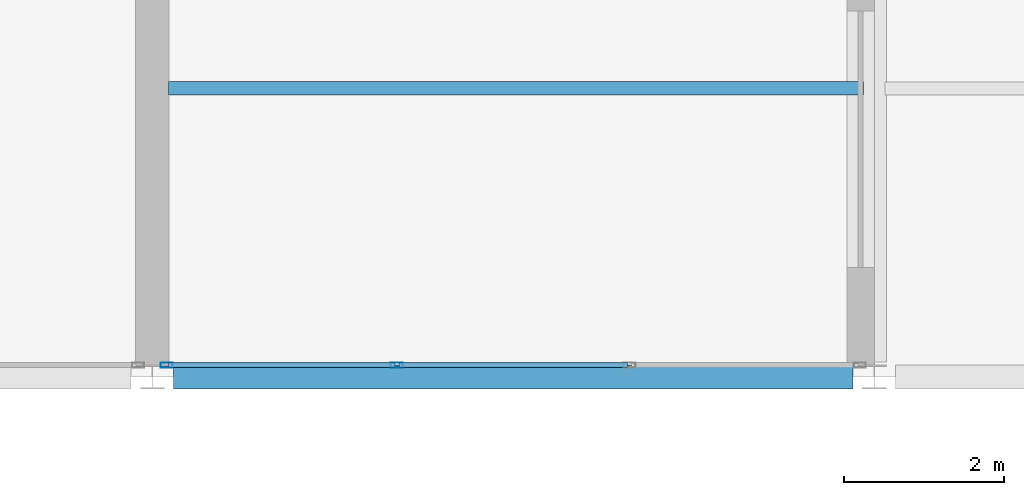
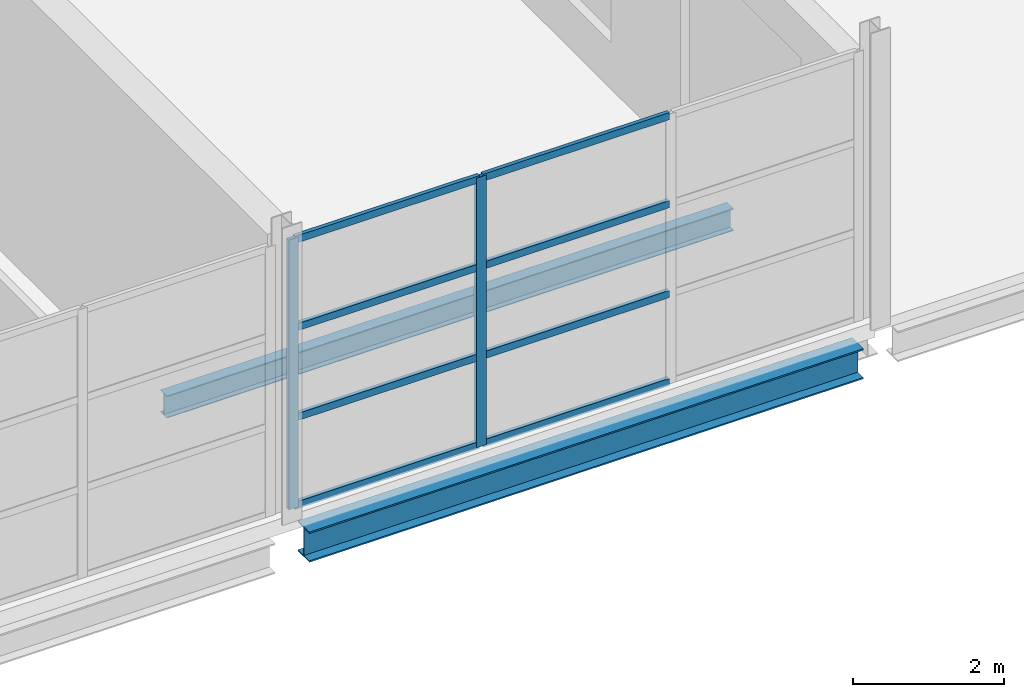
# One storey, part 46 of 134: 10 members, 2 beams, 1 element without a shape of its own.
"""IFC4 building model written with IfcOpenShell, lengths in metres."""

from ifc_helpers import new_model, si_unit, direction, frame, origin, origin_2d, place, context, subcontext, project, spatial, hollow_rectangle, i_section, extrude, material, layer, layer_set, material_profile, profile_set, type_object, element, aggregate, save


model = new_model("IFC4")

# Units and contexts
model_context = context("Model", 3, precision=1e-05, world=origin(), true_north=direction((0.0, 1.0)))
body_context = subcontext(model_context, "Body", "Model", "MODEL_VIEW")
ifc_project = project(units=[si_unit("LENGTHUNIT", "METRE"), si_unit("AREAUNIT", "SQUARE_METRE"), si_unit("VOLUMEUNIT", "CUBIC_METRE"), si_unit("PLANEANGLEUNIT", "RADIAN"), si_unit("MASSUNIT", "GRAM", prefix="KILO")], contexts=[model_context])

# Site, building, storey
site_placement = place(None, origin())
site = spatial("IfcSite", under=ifc_project, at=site_placement, CompositionType="ELEMENT")
building_placement = place(site_placement, origin())
building = spatial("IfcBuilding", under=site, at=building_placement, Name="Tamarisk Ironworks Central Station", CompositionType="ELEMENT")
storey_placement = place(building_placement, frame((0.0, 0.0, 12.60009765625)))
storey = spatial("IfcBuildingStorey", under=building, at=storey_placement, Name="L02", CompositionType="ELEMENT", Elevation=12.60009765625)

# Beams
ifc_material_1 = material(Name="Structural steel S355J2", Category="steel")
ifc_material_profile_1 = material_profile(ifc_material_1, i_section(OverallWidth=0.169921875, OverallDepth=0.360107421875, WebThickness=0.008056640625, FlangeThickness=0.0126953125, at=origin_2d()), Name="IPE 360")
ifc_profile_set_1 = profile_set([ifc_material_profile_1], Name="Structural steel S355J2")
beam_type_1 = type_object("IfcBeamType", Name="BM-B05", PredefinedType="BEAM", material=ifc_profile_set_1)
beam_1_placement = place(storey_placement, frame((27.199951171875, 93.60009765625, -0.43017578125), z_axis=(1.0, 0.0, 0.0), x_axis=(0.0, 1.0, 0.0)))
element("IfcBeam", 1, at=beam_1_placement, inside=storey, type_object=beam_type_1, Name="L02 secondary composite beam 0145", PredefinedType="BEAM", context=body_context, shape_type="SweptSolid", body=[
    extrude(i_section(OverallWidth=0.169921875, OverallDepth=0.360107421875, WebThickness=0.008056640625, FlangeThickness=0.0126953125, at=origin_2d()), origin(), (0.0, 0.0, 1.0), 8.6650390625),
])
ifc_material_profile_2 = material_profile(ifc_material_1, i_section(OverallWidth=0.300048828125, OverallDepth=0.489990234375, WebThickness=0.011962890625, FlangeThickness=0.02294921875, at=origin_2d()), Name="HEA 500")
ifc_profile_set_2 = profile_set([ifc_material_profile_2], Name="Structural steel S355J2")
beam_type_2 = type_object("IfcBeamType", Name="BM-G05", PredefinedType="BEAM", material=ifc_profile_set_2)
beam_2_placement = place(storey_placement, frame((27.262939453125, 90.0, -0.4951171875), z_axis=(1.0, 0.0, 0.0), x_axis=(0.0, 1.0, 0.0)))
element("IfcBeam", 2, at=beam_2_placement, inside=storey, type_object=beam_type_2, Name="L02 primary girder X-0371", PredefinedType="BEAM", context=body_context, shape_type="SweptSolid", body=[
    extrude(i_section(OverallWidth=0.300048828125, OverallDepth=0.489990234375, WebThickness=0.011962890625, FlangeThickness=0.02294921875, at=origin_2d()), origin(), (0.0, 0.0, 1.0), 8.47412109375),
])

# Curtain wall, members
ifc_material_2 = material(Name="Anodized aluminium alloy 6063-T6", Category="aluminium")
ifc_layer = layer(ifc_material_2, 0.179931640625)
ifc_layer_set = layer_set([ifc_layer], Name="Anodized aluminium alloy 6063-T6")
curtain_wall_type = type_object("IfcCurtainWallType", Name="CW-11", PredefinedType="USERDEFINED", material=ifc_layer_set)
curtain_wall_placement = place(storey_placement, origin())
curtain_wall = element("IfcCurtainWall", 3, at=curtain_wall_placement, inside=storey, type_object=curtain_wall_type, Name="Pavilion L02 S glazed arcade 27", ObjectType="GLAZED CURTAIN WALL", PredefinedType="USERDEFINED")
ifc_material_profile_3 = material_profile(ifc_material_2, hollow_rectangle(XDim=0.06005859375, YDim=0.14990234375, WallThickness=0.00341796875, at=origin_2d()), Name="ALUM 150x60")
ifc_profile_set_3 = profile_set([ifc_material_profile_3], Name="Anodized aluminium alloy 6063-T6")
member_type_1 = type_object("IfcMemberType", Name="CWM-03", PredefinedType="MULLION", material=ifc_profile_set_3)
member_1_placement = place(storey_placement, frame((27.177978515625, 90.14990234375, 0.0), z_axis=(0.0, 0.0, 1.0), x_axis=(0.0, 1.0, 0.0)))
member_1 = element("IfcMember", 4, at=member_1_placement, type_object=member_type_1, Name="CW11 mullion 1", PredefinedType="MULLION", context=body_context, shape_type="SweptSolid", body=[
    extrude(hollow_rectangle(XDim=0.06005859375, YDim=0.14990234375, WallThickness=0.00341796875, at=origin_2d()), origin(), (0.0, 0.0, 1.0), 4.35986328125),
])
member_2_placement = place(storey_placement, frame((30.04931640625, 90.14990234375, 0.0), z_axis=(0.0, 0.0, 1.0), x_axis=(0.0, 1.0, 0.0)))
member_2 = element("IfcMember", 5, at=member_2_placement, type_object=member_type_1, Name="CW11 mullion 2", PredefinedType="MULLION", context=body_context, shape_type="SweptSolid", body=[
    extrude(hollow_rectangle(XDim=0.06005859375, YDim=0.14990234375, WallThickness=0.00341796875, at=origin_2d()), origin(), (0.0, 0.0, 1.0), 4.35986328125),
])
ifc_material_profile_4 = material_profile(ifc_material_2, hollow_rectangle(XDim=0.06005859375, YDim=0.114990234375, WallThickness=0.00341796875, at=origin_2d()), Name="ALUM 115x60")
ifc_profile_set_4 = profile_set([ifc_material_profile_4], Name="Anodized aluminium alloy 6063-T6")
member_type_2 = type_object("IfcMemberType", Name="CWT-03", PredefinedType="USERDEFINED", material=ifc_profile_set_4)
member_3_placement = place(storey_placement, frame((27.2041015625, 90.14990234375, 0.02978515625), z_axis=(1.0, 0.0, 0.0), x_axis=(0.0, 1.0, 0.0)))
member_3 = element("IfcMember", 6, at=member_3_placement, type_object=member_type_2, Name="CW11 transom 1.1", ObjectType="TRANSOM", PredefinedType="USERDEFINED", context=body_context, shape_type="SweptSolid", body=[
    extrude(hollow_rectangle(XDim=0.06005859375, YDim=0.114990234375, WallThickness=0.00341796875, at=origin_2d()), origin(), (0.0, 0.0, 1.0), 2.8193359375),
])
member_4_placement = place(storey_placement, frame((27.2041015625, 90.14990234375, 1.453125), z_axis=(1.0, 0.0, 0.0), x_axis=(0.0, 1.0, 0.0)))
member_4 = element("IfcMember", 7, at=member_4_placement, type_object=member_type_2, Name="CW11 transom 1.2", ObjectType="TRANSOM", PredefinedType="USERDEFINED", context=body_context, shape_type="SweptSolid", body=[
    extrude(hollow_rectangle(XDim=0.06005859375, YDim=0.114990234375, WallThickness=0.00341796875, at=origin_2d()), origin(), (0.0, 0.0, 1.0), 2.8193359375),
])
member_5_placement = place(storey_placement, frame((27.2041015625, 90.14990234375, 2.906494140625), z_axis=(1.0, 0.0, 0.0), x_axis=(0.0, 1.0, 0.0)))
member_5 = element("IfcMember", 8, at=member_5_placement, type_object=member_type_2, Name="CW11 transom 1.3", ObjectType="TRANSOM", PredefinedType="USERDEFINED", context=body_context, shape_type="SweptSolid", body=[
    extrude(hollow_rectangle(XDim=0.06005859375, YDim=0.114990234375, WallThickness=0.00341796875, at=origin_2d()), origin(), (0.0, 0.0, 1.0), 2.8193359375),
])
member_6_placement = place(storey_placement, frame((27.2041015625, 90.14990234375, 4.329833984375), z_axis=(1.0, 0.0, 0.0), x_axis=(0.0, 1.0, 0.0)))
member_6 = element("IfcMember", 9, at=member_6_placement, type_object=member_type_2, Name="CW11 transom 1.4", ObjectType="TRANSOM", PredefinedType="USERDEFINED", context=body_context, shape_type="SweptSolid", body=[
    extrude(hollow_rectangle(XDim=0.06005859375, YDim=0.114990234375, WallThickness=0.00341796875, at=origin_2d()), origin(), (0.0, 0.0, 1.0), 2.8193359375),
])
member_7_placement = place(storey_placement, frame((30.075439453125, 90.14990234375, 0.02978515625), z_axis=(1.0, 0.0, 0.0), x_axis=(0.0, 1.0, 0.0)))
member_7 = element("IfcMember", 10, at=member_7_placement, type_object=member_type_2, Name="CW11 transom 2.1", ObjectType="TRANSOM", PredefinedType="USERDEFINED", context=body_context, shape_type="SweptSolid", body=[
    extrude(hollow_rectangle(XDim=0.06005859375, YDim=0.114990234375, WallThickness=0.00341796875, at=origin_2d()), origin(), (0.0, 0.0, 1.0), 2.84912109375),
])
member_8_placement = place(storey_placement, frame((30.075439453125, 90.14990234375, 1.453125), z_axis=(1.0, 0.0, 0.0), x_axis=(0.0, 1.0, 0.0)))
member_8 = element("IfcMember", 11, at=member_8_placement, type_object=member_type_2, Name="CW11 transom 2.2", ObjectType="TRANSOM", PredefinedType="USERDEFINED", context=body_context, shape_type="SweptSolid", body=[
    extrude(hollow_rectangle(XDim=0.06005859375, YDim=0.114990234375, WallThickness=0.00341796875, at=origin_2d()), origin(), (0.0, 0.0, 1.0), 2.84912109375),
])
member_9_placement = place(storey_placement, frame((30.075439453125, 90.14990234375, 2.906494140625), z_axis=(1.0, 0.0, 0.0), x_axis=(0.0, 1.0, 0.0)))
member_9 = element("IfcMember", 12, at=member_9_placement, type_object=member_type_2, Name="CW11 transom 2.3", ObjectType="TRANSOM", PredefinedType="USERDEFINED", context=body_context, shape_type="SweptSolid", body=[
    extrude(hollow_rectangle(XDim=0.06005859375, YDim=0.114990234375, WallThickness=0.00341796875, at=origin_2d()), origin(), (0.0, 0.0, 1.0), 2.84912109375),
])
member_10_placement = place(storey_placement, frame((30.075439453125, 90.14990234375, 4.329833984375), z_axis=(1.0, 0.0, 0.0), x_axis=(0.0, 1.0, 0.0)))
member_10 = element("IfcMember", 13, at=member_10_placement, type_object=member_type_2, Name="CW11 transom 2.4", ObjectType="TRANSOM", PredefinedType="USERDEFINED", context=body_context, shape_type="SweptSolid", body=[
    extrude(hollow_rectangle(XDim=0.06005859375, YDim=0.114990234375, WallThickness=0.00341796875, at=origin_2d()), origin(), (0.0, 0.0, 1.0), 2.84912109375),
])
aggregate(curtain_wall, [member_1, member_2, member_3, member_4, member_5, member_6, member_7, member_8, member_9, member_10])

save(model, "model.ifc")
